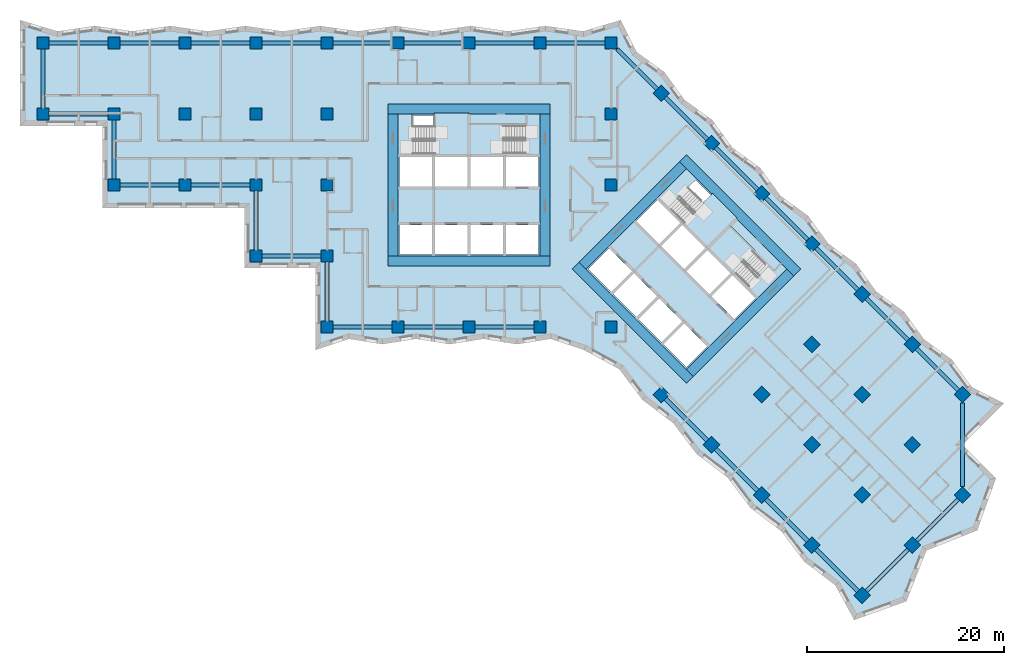
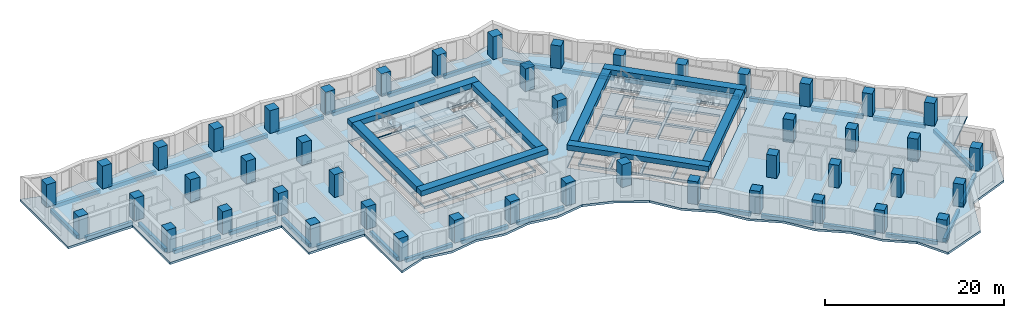
# One storey, part 1 of 12: 47 columns, 41 beams, 7 slabs, 22 openings, 4 elements without a shape of their own.
"""IFC4 building model written with IfcOpenShell, lengths in metres."""

import ifcopenshell
import ifcopenshell.guid

model = None  # the IFC model being written
_history = None  # IfcOwnerHistory: only IFC2X3 demands one
_inside = {}  # id of a spatial element -> (the spatial element, [elements in it])
_under = {}  # id of a project, library or spatial element -> (it, [spatial elements below it])
_declared = {}  # id of a project -> (the project, [libraries it declares])
_typed = {}  # id of a type object -> (the type object, [elements of that type])
_made_of = {}  # id of a material, layer set ... -> (it, [elements and type objects made of it])


def new_model(schema):
    """Start an empty IFC model of exactly this schema.

    Asked for "IFC4X3", IfcOpenShell would pick the latest addendum, in which some entities
    have other attributes; the version numbers below select the first issue.
    IFC2X3 requires an IfcOwnerHistory on every rooted entity: one is made here for all.
    """
    global model, _history
    if schema == "IFC4X3":
        model = ifcopenshell.file(schema_version=(4, 3, 0, 0))
    else:
        model = ifcopenshell.file(schema=schema)
    _inside.clear()
    _under.clear()
    _declared.clear()
    _typed.clear()
    _made_of.clear()
    _history = None
    if model.schema == "IFC2X3":
        org = make("IfcOrganization", Name="unknown")
        user = make(
            "IfcPersonAndOrganization",
            ThePerson=make("IfcPerson", FamilyName="unknown"),
            TheOrganization=org,
        )
        app = make(
            "IfcApplication",
            ApplicationDeveloper=org,
            Version="unknown",
            ApplicationFullName="unknown",
            ApplicationIdentifier="unknown",
        )
        _history = make(
            "IfcOwnerHistory",
            OwningUser=user,
            OwningApplication=app,
            ChangeAction="ADDED",
            CreationDate=0,
        )
    return model


def make(cls, **values):
    """One entity of the class cls with the attributes given. An attribute that is None is left unset."""
    return model.create_entity(
        cls, **{name: value for name, value in values.items() if value is not None}
    )


def rooted(cls, **values):
    """An entity with a GlobalId (a new one), such as an element, a storey or a relation."""
    return make(cls, GlobalId=ifcopenshell.guid.new(), OwnerHistory=_history, **values)


def si_unit(unit_type, name, prefix=None):
    """IfcSIUnit, for example si_unit("LENGTHUNIT", "METRE", prefix="MILLI")."""
    return make("IfcSIUnit", UnitType=unit_type, Prefix=prefix, Name=name)


def assignment(units):
    """IfcUnitAssignment: the units of a project."""
    return None if units is None else make("IfcUnitAssignment", Units=units)


def point(xyz):
    """IfcCartesianPoint."""
    return None if xyz is None else make("IfcCartesianPoint", Coordinates=xyz)


def direction(xyz):
    """IfcDirection."""
    return None if xyz is None else make("IfcDirection", DirectionRatios=xyz)


def frame(location, z_axis=None, x_axis=None):
    """IfcAxis2Placement3D, a coordinate frame: its origin and axes. An axis left out is left unset."""
    return make(
        "IfcAxis2Placement3D",
        Location=point(location),
        Axis=direction(z_axis),
        RefDirection=direction(x_axis),
    )


def frame_2d(location, x_axis=None):
    """IfcAxis2Placement2D, a coordinate frame in the plane: its origin and x axis."""
    return make(
        "IfcAxis2Placement2D", Location=point(location), RefDirection=direction(x_axis)
    )


def origin():
    """The frame at (0, 0, 0) with its axes left unset."""
    return frame((0.0, 0.0, 0.0))


def origin_2d():
    """The frame at (0, 0) in the plane with its x axis left unset."""
    return frame_2d((0.0, 0.0))


def place(relative_to, where):
    """IfcLocalPlacement: puts the frame where relative to a parent placement (None: the world)."""
    return make(
        "IfcLocalPlacement", PlacementRelTo=relative_to, RelativePlacement=where
    )


def context(
    kind, dimensions, precision=None, world=None, true_north=None, identifier=None
):
    """IfcGeometricRepresentationContext, for example the 3D "Model" context."""
    return make(
        "IfcGeometricRepresentationContext",
        ContextIdentifier=identifier,
        ContextType=kind,
        CoordinateSpaceDimension=dimensions,
        Precision=precision,
        WorldCoordinateSystem=world,
        TrueNorth=true_north,
    )


def subcontext(parent, identifier, kind, view, scale=None):
    """IfcGeometricRepresentationSubContext, for example "Body" below "Model"."""
    return make(
        "IfcGeometricRepresentationSubContext",
        ContextIdentifier=identifier,
        ContextType=kind,
        ParentContext=parent,
        TargetScale=scale,
        TargetView=view,
    )


def project(units=None, contexts=None):
    """IfcProject with its units and contexts."""
    return rooted(
        "IfcProject",
        Name="project",
        RepresentationContexts=contexts,
        UnitsInContext=assignment(units),
    )


def spatial(cls, under=None, at=None, **own):
    """A site, building, storey or space (cls), placed at a placement, below another one or the project."""
    s = rooted(cls, ObjectPlacement=at, **own)
    if under is not None:
        _under.setdefault(under.id(), (under, []))[1].append(s)
    return s


def polyline(points):
    """IfcPolyline through the points."""
    return make("IfcPolyline", Points=[point(p) for p in points])


def profile(cls, at=None, kind="AREA", **sizes):
    """A parametric profile (cls). Its sizes go by their IFC names, for example OverallWidth=200.0."""
    return make(cls, ProfileType=kind, Position=at, **sizes)


def rectangle(**sizes):
    """IfcRectangleProfileDef."""
    return profile("IfcRectangleProfileDef", **sizes)


def outline(outer, holes=None, kind="AREA"):
    """IfcArbitraryClosedProfileDef: a profile drawn as a closed curve; with holes, ...WithVoids."""
    if holes is None:
        return make("IfcArbitraryClosedProfileDef", ProfileType=kind, OuterCurve=outer)
    return make(
        "IfcArbitraryProfileDefWithVoids",
        ProfileType=kind,
        OuterCurve=outer,
        InnerCurves=holes,
    )


def extrude(swept, where, along, depth):
    """IfcExtrudedAreaSolid: the profile swept, set in the frame where, extruded along a direction by depth."""
    return make(
        "IfcExtrudedAreaSolid",
        SweptArea=swept,
        Position=where,
        ExtrudedDirection=direction(along),
        Depth=depth,
    )


def shape(context_of_items, identifier, shape_type, items):
    """IfcShapeRepresentation: the items that make up one representation, for example the "Body"."""
    return make(
        "IfcShapeRepresentation",
        ContextOfItems=context_of_items,
        RepresentationIdentifier=identifier,
        RepresentationType=shape_type,
        Items=items,
    )


def material(Name=None, Category=None):
    """IfcMaterial."""
    return make("IfcMaterial", Name=Name, Category=Category)


def layer(
    of_material, thickness, ventilated=None, Name=None, Category=None, Priority=None
):
    """IfcMaterialLayer: one layer of a wall or slab, of a material (None: an air gap)."""
    return make(
        "IfcMaterialLayer",
        Material=of_material,
        LayerThickness=thickness,
        IsVentilated=ventilated,
        Name=Name,
        Category=Category,
        Priority=Priority,
    )


def layer_set(layers, Name=None):
    """IfcMaterialLayerSet."""
    return make("IfcMaterialLayerSet", MaterialLayers=layers, LayerSetName=Name)


def material_profile(
    of_material, cross_section, Name=None, Category=None, Priority=None
):
    """IfcMaterialProfile: a cross section and its material."""
    return make(
        "IfcMaterialProfile",
        Name=Name,
        Material=of_material,
        Profile=cross_section,
        Priority=Priority,
        Category=Category,
    )


def profile_set(profiles, Name=None, composite=None):
    """IfcMaterialProfileSet."""
    return make(
        "IfcMaterialProfileSet",
        Name=Name,
        MaterialProfiles=profiles,
        CompositeProfile=composite,
    )


def made_of(thing, what):
    """Note that an element or type object is made of a material, layer set ...; save() writes the relation."""
    if what is not None:
        _made_of.setdefault(what.id(), (what, []))[1].append(thing)
    return thing


def type_object(cls, material=None, **own):
    """A type object (cls), such as IfcWallType, which elements share."""
    return made_of(rooted(cls, **own), material)


def element(
    cls,
    number,
    at=None,
    inside=None,
    cuts=None,
    type_object=None,
    material=None,
    context=None,
    identifier="Body",
    shape_type=None,
    held_by="IfcProductDefinitionShape",
    body=None,
    shapes=None,
    **own,
):
    """One element of the class cls, such as IfcWall. Its Tag is "e" and its number.

    at: its placement. inside: the storey or other place that contains it. cuts: it is an
    opening in that element (IfcRelVoidsElement). A single representation is given by context,
    identifier, shape_type and body (its items); several are given by shapes. held_by: the class
    of the entity that holds the representations. save() writes the other relations.
    """
    e = rooted(cls, Tag="e%d" % number, ObjectPlacement=at, **own)
    if body is not None:
        shapes = [shape(context, identifier, shape_type, body)]
    if shapes is not None:
        e.Representation = make(held_by, Representations=shapes)
    if inside is not None:
        _inside.setdefault(inside.id(), (inside, []))[1].append(e)
    if cuts is not None:
        rooted(
            "IfcRelVoidsElement", RelatingBuildingElement=cuts, RelatedOpeningElement=e
        )
    if type_object is not None:
        _typed.setdefault(type_object.id(), (type_object, []))[1].append(e)
    return made_of(e, material)


def aggregate(whole, parts):
    """IfcRelAggregates: a whole, such as a stair, and the parts it consists of."""
    return rooted("IfcRelAggregates", RelatingObject=whole, RelatedObjects=parts)


def save(model, path):
    """Write the relations noted so far, then the file.

    IfcRelAggregates (storeys below a building ...), IfcRelContainedInSpatialStructure (elements
    in a storey), IfcRelDefinesByType, IfcRelAssociatesMaterial and IfcRelDeclares: one each for
    every whole, place, type object, material and project.
    """
    for whole, parts in _under.values():
        aggregate(whole, parts)
    for where, things in _inside.values():
        rooted(
            "IfcRelContainedInSpatialStructure",
            RelatedElements=things,
            RelatingStructure=where,
        )
    for kind, things in _typed.values():
        rooted("IfcRelDefinesByType", RelatedObjects=things, RelatingType=kind)
    for what, things in _made_of.values():
        rooted("IfcRelAssociatesMaterial", RelatedObjects=things, RelatingMaterial=what)
    for by, libraries in _declared.values():
        rooted("IfcRelDeclares", RelatingContext=by, RelatedDefinitions=libraries)
    model.write(path)


model = new_model("IFC4")

# Units and contexts
model_context = context("Model", 3, precision=1e-05, world=origin(), true_north=direction((0.0, 1.0)))
body_context = subcontext(model_context, "Body", "Model", "MODEL_VIEW")
ifc_project = project(units=[si_unit("LENGTHUNIT", "METRE"), si_unit("AREAUNIT", "SQUARE_METRE"), si_unit("VOLUMEUNIT", "CUBIC_METRE"), si_unit("PLANEANGLEUNIT", "RADIAN"), si_unit("MASSUNIT", "GRAM", prefix="KILO")], contexts=[model_context])

# Site, building, storey
site_placement = place(None, origin())
site = spatial("IfcSite", under=ifc_project, at=site_placement, CompositionType="ELEMENT")
building_placement = place(site_placement, origin())
building = spatial("IfcBuilding", under=site, at=building_placement, Name="Windrow Commons", CompositionType="ELEMENT")
storey_placement = place(building_placement, frame((0.0, 0.0, 54.2)))
storey = spatial("IfcBuildingStorey", under=building, at=storey_placement, Name="L14", CompositionType="ELEMENT", Elevation=54.2)

# Columns
ifc_material_1 = material(Name="Concrete C60/75", Category="concrete")
ifc_material_profile_1 = material_profile(ifc_material_1, rectangle(XDim=1.2, YDim=1.2, at=origin_2d()))
ifc_profile_set_1 = profile_set([ifc_material_profile_1], Name="Concrete C60/75")
column_type = type_object("IfcColumnType", Name="RC COLUMN 1200x1200 C60/75", PredefinedType="COLUMN", material=ifc_profile_set_1)
for number, where, z_axis, x_axis, name in (
    (1, (21.6, 64.8, 0.0), (0.0, 0.0, 1.0), (1.0, 0.0, 0.0), "C-Z1-04I"),
    (2, (21.6, 72.0, 0.0), (0.0, 0.0, 1.0), (1.0, 0.0, 0.0), "C-Z1-04J"),
    (3, (28.8, 57.6, 0.0), (0.0, 0.0, 1.0), (1.0, 0.0, 0.0), "C-Z1-05H"),
    (4, (28.8, 64.8, 0.0), (0.0, 0.0, 1.0), (1.0, 0.0, 0.0), "C-Z1-05I"),
    (5, (28.8, 72.0, 0.0), (0.0, 0.0, 1.0), (1.0, 0.0, 0.0), "C-Z1-05J"),
    (6, (36.0, 57.6, 0.0), (0.0, 0.0, 1.0), (1.0, 0.0, 0.0), "C-Z1-06H"),
    (7, (36.0, 64.8, 0.0), (0.0, 0.0, 1.0), (1.0, 0.0, 0.0), "C-Z1-06I"),
    (8, (36.0, 72.0, 0.0), (0.0, 0.0, 1.0), (1.0, 0.0, 0.0), "C-Z1-06J"),
    (9, (43.2, 50.4, 0.0), (0.0, 0.0, 1.0), (1.0, 0.0, 0.0), "C-Z1-07G"),
    (10, (43.2, 57.6, 0.0), (0.0, 0.0, 1.0), (1.0, 0.0, 0.0), "C-Z1-07H"),
    (11, (43.2, 64.8, 0.0), (0.0, 0.0, 1.0), (1.0, 0.0, 0.0), "C-Z1-07I"),
    (12, (43.2, 72.0, 0.0), (0.0, 0.0, 1.0), (1.0, 0.0, 0.0), "C-Z1-07J"),
    (13, (50.4, 43.2, 0.0), (0.0, 0.0, 1.0), (1.0, 0.0, 0.0), "C-Z1-08F"),
    (14, (50.4, 50.4, 0.0), (0.0, 0.0, 1.0), (1.0, 0.0, 0.0), "C-Z1-08G"),
    (15, (50.4, 57.6, 0.0), (0.0, 0.0, 1.0), (1.0, 0.0, 0.0), "C-Z1-08H"),
    (16, (50.4, 64.8, 0.0), (0.0, 0.0, 1.0), (1.0, 0.0, 0.0), "C-Z1-08I"),
    (17, (50.4, 72.0, 0.0), (0.0, 0.0, 1.0), (1.0, 0.0, 0.0), "C-Z1-08J"),
    (18, (57.6, 43.2, 0.0), (0.0, 0.0, 1.0), (1.0, 0.0, 0.0), "C-Z1-09F"),
    (19, (57.6, 72.0, 0.0), (0.0, 0.0, 1.0), (1.0, 0.0, 0.0), "C-Z1-09J"),
    (20, (64.8, 43.2, 0.0), (0.0, 0.0, 1.0), (1.0, 0.0, 0.0), "C-Z1-10F"),
    (21, (64.8, 72.0, 0.0), (0.0, 0.0, 1.0), (1.0, 0.0, 0.0), "C-Z1-10J"),
    (22, (72.0, 43.2, 0.0), (0.0, 0.0, 1.0), (1.0, 0.0, 0.0), "C-Z1-11F"),
    (23, (72.0, 72.0, 0.0), (0.0, 0.0, 1.0), (1.0, 0.0, 0.0), "C-Z1-11J"),
    (24, (79.2, 43.2, 0.0), (0.0, 0.0, 1.0), (1.0, 0.0, 0.0), "C-Z1-12F"),
    (25, (79.2, 57.6, 0.0), (0.0, 0.0, 1.0), (1.0, 0.0, 0.0), "C-Z1-12H"),
    (26, (79.2, 64.8, 0.0), (0.0, 0.0, 1.0), (1.0, 0.0, 0.0), "C-Z1-12I"),
    (27, (79.2, 72.0, 0.0), (0.0, 0.0, 1.0), (1.0, 0.0, 0.0), "C-Z1-12J"),
    (28, (84.2912, 66.9088, 0.0), (0.0, 0.0, 1.0), (0.7071067812, -0.7071067812, 0.0), "C-Z1-P2Q"),
    (29, (89.3823, 61.8177, 0.0), (0.0, 0.0, 1.0), (0.7071067812, -0.7071067812, 0.0), "C-Z1-P3Q"),
    (30, (94.4735, 56.7265, 0.0), (0.0, 0.0, 1.0), (0.7071067812, -0.7071067812, 0.0), "C-Z1-P4Q"),
    (31, (99.5647, 51.6353, 0.0), (0.0, 0.0, 1.0), (0.7071067812, -0.7071067812, 0.0), "C-Z1-P5Q"),
    (32, (84.2912, 36.3618, 0.0), (0.0, 0.0, 1.0), (0.7071067812, -0.7071067812, 0.0), "C-Z1-P5T"),
    (33, (104.6558, 46.5442, 0.0), (0.0, 0.0, 1.0), (0.7071067812, -0.7071067812, 0.0), "C-Z1-P6Q"),
    (34, (99.5647, 41.453, 0.0), (0.0, 0.0, 1.0), (0.7071067812, -0.7071067812, 0.0), "C-Z1-P6R"),
    (35, (94.4735, 36.3618, 0.0), (0.0, 0.0, 1.0), (0.7071067812, -0.7071067812, 0.0), "C-Z1-P6S"),
    (36, (89.3823, 31.2706, 0.0), (0.0, 0.0, 1.0), (0.7071067812, -0.7071067812, 0.0), "C-Z1-P6T"),
    (37, (109.747, 41.453, 0.0), (0.0, 0.0, 1.0), (0.7071067812, -0.7071067812, 0.0), "C-Z1-P7Q"),
    (38, (104.6558, 36.3618, 0.0), (0.0, 0.0, 1.0), (0.7071067812, -0.7071067812, 0.0), "C-Z1-P7R"),
    (39, (99.5647, 31.2706, 0.0), (0.0, 0.0, 1.0), (0.7071067812, -0.7071067812, 0.0), "C-Z1-P7S"),
    (40, (94.4735, 26.1795, 0.0), (0.0, 0.0, 1.0), (0.7071067812, -0.7071067812, 0.0), "C-Z1-P7T"),
    (41, (114.8382, 36.3618, 0.0), (0.0, 0.0, 1.0), (0.7071067812, -0.7071067812, 0.0), "C-Z1-P8Q"),
    (42, (109.747, 31.2706, 0.0), (0.0, 0.0, 1.0), (0.7071067812, -0.7071067812, 0.0), "C-Z1-P8R"),
    (43, (104.6558, 26.1795, 0.0), (0.0, 0.0, 1.0), (0.7071067812, -0.7071067812, 0.0), "C-Z1-P8S"),
    (44, (99.5647, 21.0883, 0.0), (0.0, 0.0, 1.0), (0.7071067812, -0.7071067812, 0.0), "C-Z1-P8T"),
    (45, (114.8382, 26.1795, 0.0), (0.0, 0.0, 1.0), (0.7071067812, -0.7071067812, 0.0), "C-Z1-P9R"),
    (46, (109.747, 21.0883, 0.0), (0.0, 0.0, 1.0), (0.7071067812, -0.7071067812, 0.0), "C-Z1-P9S"),
    (47, (104.6558, 15.9971, 0.0), (0.0, 0.0, 1.0), (0.7071067812, -0.7071067812, 0.0), "C-Z1-P9T"),
):
    element("IfcColumn", number, at=place(storey_placement, frame(where, z_axis=z_axis, x_axis=x_axis)), inside=storey, type_object=column_type, Name=name, PredefinedType="COLUMN", context=body_context, shape_type="SweptSolid", body=[
        extrude(rectangle(XDim=1.2, YDim=1.2, at=origin_2d()), origin(), (0.0, 0.0, 1.0), 3.1),
    ])

# Beams
ifc_material_2 = material(Name="Concrete C60/75", Category="concrete")
ifc_material_profile_2 = material_profile(ifc_material_2, rectangle(XDim=1.0, YDim=0.7, at=origin_2d()))
ifc_profile_set_2 = profile_set([ifc_material_profile_2], Name="Concrete C60/75")
beam_type_1 = type_object("IfcBeamType", Name="RC COUPLING BEAM 1000x700 C60/75", PredefinedType="LINTEL", material=ifc_profile_set_2)
for number, where, z_axis, x_axis, name in (
    (48, (56.6, 49.9, 2.75), (1.0, 0.0, 0.0), (0.0, 1.0, 0.0), "Core A coupling beam outer-S"),
    (49, (56.6, 65.3, 2.75), (1.0, 0.0, 0.0), (0.0, 1.0, 0.0), "Core A coupling beam outer-N"),
):
    element("IfcBeam", number, at=place(storey_placement, frame(where, z_axis=z_axis, x_axis=x_axis)), inside=storey, type_object=beam_type_1, Name=name, PredefinedType="LINTEL", context=body_context, shape_type="SweptSolid", body=[
        extrude(rectangle(XDim=1.0, YDim=0.7, at=origin_2d()), origin(), (0.0, 0.0, 1.0), 16.4),
    ])
for number, where, z_axis, x_axis, name in (
    (50, (57.1, 50.4, 2.75), (0.0, 1.0, 0.0), (-1.0, 0.0, 0.0), "Core A coupling beam outer-W"),
    (51, (72.5, 50.4, 2.75), (0.0, 1.0, 0.0), (-1.0, 0.0, 0.0), "Core A coupling beam outer-E"),
):
    element("IfcBeam", number, at=place(storey_placement, frame(where, z_axis=z_axis, x_axis=x_axis)), inside=storey, type_object=beam_type_1, Name=name, PredefinedType="LINTEL", context=body_context, shape_type="SweptSolid", body=[
        extrude(rectangle(XDim=1.0, YDim=0.7, at=origin_2d()), origin(), (0.0, 0.0, 1.0), 14.4),
    ])
for number, where, z_axis, x_axis, name in (
    (52, (75.5938, 49.4433, 2.75), (0.7071037324, -0.70710983, 0.0), (0.70710983, 0.7071037324, 0.0), "Core B coupling beam outer-S"),
    (53, (86.4832, 60.3327, 2.75), (0.70710983, -0.7071037324, 0.0), (0.7071037324, 0.70710983, 0.0), "Core B coupling beam outer-N"),
):
    element("IfcBeam", number, at=place(storey_placement, frame(where, z_axis=z_axis, x_axis=x_axis)), inside=storey, type_object=beam_type_1, Name=name, PredefinedType="LINTEL", context=body_context, shape_type="SweptSolid", body=[
        extrude(rectangle(XDim=1.0, YDim=0.7, at=origin_2d()), origin(), (0.0, 0.0, 1.0), 16.4),
    ])
beam_1_placement = place(storey_placement, frame((76.3009, 49.4433, 2.75), z_axis=(0.7071067812, 0.7071067812, 0.0), x_axis=(-0.7071067812, 0.7071067812, 0.0)))
element("IfcBeam", 54, at=beam_1_placement, inside=storey, type_object=beam_type_1, Name="Core B coupling beam outer-W", PredefinedType="LINTEL", context=body_context, shape_type="SweptSolid", body=[
    extrude(rectangle(XDim=1.0, YDim=0.7, at=origin_2d()), origin(), (0.0, 0.0, 1.0), 14.3999),
])
beam_2_placement = place(storey_placement, frame((87.1903, 38.5538, 2.75), z_axis=(0.707103309, 0.7071102534, 0.0), x_axis=(-0.7071102534, 0.707103309, 0.0)))
element("IfcBeam", 55, at=beam_2_placement, inside=storey, type_object=beam_type_1, Name="Core B coupling beam outer-E", PredefinedType="LINTEL", context=body_context, shape_type="SweptSolid", body=[
    extrude(rectangle(XDim=1.0, YDim=0.7, at=origin_2d()), origin(), (0.0, 0.0, 1.0), 14.4),
])
ifc_material_3 = material(Name="Concrete C60/75", Category="concrete")
ifc_material_profile_3 = material_profile(ifc_material_3, rectangle(XDim=0.4, YDim=0.5, at=origin_2d()))
ifc_profile_set_3 = profile_set([ifc_material_profile_3], Name="Concrete C60/75")
beam_type_2 = type_object("IfcBeamType", Name="RC EDGE BEAM 400x500 C60/75", PredefinedType="SPANDREL", material=ifc_profile_set_3)
for number, where, z_axis, x_axis, name in (
    (56, (49.8, 50.4, -0.55), (-1.0, 0.0, 0.0), (0.0, -1.0, 0.0), "Edge beam L14 001"),
    (57, (43.2, 51.0, -0.55), (0.0, 1.0, 0.0), (-1.0, 0.0, 0.0), "Edge beam L14 002"),
    (58, (42.6, 57.6, -0.55), (-1.0, 0.0, 0.0), (0.0, -1.0, 0.0), "Edge beam L14 003"),
    (59, (35.4, 57.6, -0.55), (-1.0, 0.0, 0.0), (0.0, -1.0, 0.0), "Edge beam L14 004"),
    (60, (28.8, 58.2, -0.55), (0.0, 1.0, 0.0), (-1.0, 0.0, 0.0), "Edge beam L14 005"),
    (61, (28.2, 64.8, -0.55), (-1.0, 0.0, 0.0), (0.0, -1.0, 0.0), "Edge beam L14 006"),
    (62, (21.6, 65.4, -0.55), (0.0, 1.0, 0.0), (-1.0, 0.0, 0.0), "Edge beam L14 007"),
    (63, (22.2, 72.0, -0.55), (1.0, 0.0, 0.0), (0.0, 1.0, 0.0), "Edge beam L14 008"),
    (64, (29.4, 72.0, -0.55), (1.0, 0.0, 0.0), (0.0, 1.0, 0.0), "Edge beam L14 009"),
    (65, (36.6, 72.0, -0.55), (1.0, 0.0, 0.0), (0.0, 1.0, 0.0), "Edge beam L14 010"),
    (66, (43.8, 72.0, -0.55), (1.0, 0.0, 0.0), (0.0, 1.0, 0.0), "Edge beam L14 011"),
    (67, (51.0, 72.0, -0.55), (1.0, 0.0, 0.0), (0.0, 1.0, 0.0), "Edge beam L14 012"),
    (68, (58.2, 72.0, -0.55), (1.0, 0.0, 0.0), (0.0, 1.0, 0.0), "Edge beam L14 013"),
    (69, (65.4, 72.0, -0.55), (1.0, 0.0, 0.0), (0.0, 1.0, 0.0), "Edge beam L14 014"),
    (70, (72.6, 72.0, -0.55), (1.0, 0.0, 0.0), (0.0, 1.0, 0.0), "Edge beam L14 015"),
):
    element("IfcBeam", number, at=place(storey_placement, frame(where, z_axis=z_axis, x_axis=x_axis)), inside=storey, type_object=beam_type_2, Name=name, PredefinedType="SPANDREL", context=body_context, shape_type="SweptSolid", body=[
        extrude(rectangle(XDim=0.4, YDim=0.5, at=origin_2d()), origin(), (0.0, 0.0, 1.0), 6.0),
    ])
beam_3_placement = place(storey_placement, frame((79.8, 71.4, -0.55), z_axis=(0.7071067812, -0.7071067812, 0.0), x_axis=(0.7071067812, 0.7071067812, 0.0)))
element("IfcBeam", 71, at=beam_3_placement, inside=storey, type_object=beam_type_2, Name="Edge beam L14 016", PredefinedType="SPANDREL", context=body_context, shape_type="SweptSolid", body=[
    extrude(rectangle(XDim=0.4, YDim=0.5, at=origin_2d()), origin(), (0.0, 0.0, 1.0), 5.7515),
])
beam_4_placement = place(storey_placement, frame((84.7155, 66.4845, -0.55), z_axis=(0.7071067812, -0.7071067812, 0.0), x_axis=(0.7071067812, 0.7071067812, 0.0)))
element("IfcBeam", 72, at=beam_4_placement, inside=storey, type_object=beam_type_2, Name="Edge beam L14 017", PredefinedType="SPANDREL", context=body_context, shape_type="SweptSolid", body=[
    extrude(rectangle(XDim=0.4, YDim=0.5, at=origin_2d()), origin(), (0.0, 0.0, 1.0), 5.9998),
])
for number, where, z_axis, x_axis, name in (
    (73, (89.8066, 61.3934, -0.55), (0.7071067812, -0.7071067812, 0.0), (0.7071067812, 0.7071067812, 0.0), "Edge beam L14 018"),
    (74, (94.8978, 56.3022, -0.55), (0.7071067812, -0.7071067812, 0.0), (0.7071067812, 0.7071067812, 0.0), "Edge beam L14 019"),
):
    element("IfcBeam", number, at=place(storey_placement, frame(where, z_axis=z_axis, x_axis=x_axis)), inside=storey, type_object=beam_type_2, Name=name, PredefinedType="SPANDREL", context=body_context, shape_type="SweptSolid", body=[
        extrude(rectangle(XDim=0.4, YDim=0.5, at=origin_2d()), origin(), (0.0, 0.0, 1.0), 5.9999),
    ])
beam_5_placement = place(storey_placement, frame((99.989, 51.211, -0.55), z_axis=(0.7071067812, -0.7071067812, 0.0), x_axis=(0.7071067812, 0.7071067812, 0.0)))
element("IfcBeam", 75, at=beam_5_placement, inside=storey, type_object=beam_type_2, Name="Edge beam L14 020", PredefinedType="SPANDREL", context=body_context, shape_type="SweptSolid", body=[
    extrude(rectangle(XDim=0.4, YDim=0.5, at=origin_2d()), origin(), (0.0, 0.0, 1.0), 5.9998),
])
for number, where, z_axis, x_axis, name in (
    (76, (105.0801, 46.1199, -0.55), (0.7071067812, -0.7071067812, 0.0), (0.7071067812, 0.7071067812, 0.0), "Edge beam L14 021"),
    (77, (110.1713, 41.0287, -0.55), (0.7071067812, -0.7071067812, 0.0), (0.7071067812, 0.7071067812, 0.0), "Edge beam L14 022"),
):
    element("IfcBeam", number, at=place(storey_placement, frame(where, z_axis=z_axis, x_axis=x_axis)), inside=storey, type_object=beam_type_2, Name=name, PredefinedType="SPANDREL", context=body_context, shape_type="SweptSolid", body=[
        extrude(rectangle(XDim=0.4, YDim=0.5, at=origin_2d()), origin(), (0.0, 0.0, 1.0), 5.9999),
    ])
beam_6_placement = place(storey_placement, frame((114.8382, 35.5133, -0.55), z_axis=(0.0, -1.0, 0.0), x_axis=(1.0, 0.0, 0.0)))
element("IfcBeam", 78, at=beam_6_placement, inside=storey, type_object=beam_type_2, Name="Edge beam L14 023", PredefinedType="SPANDREL", context=body_context, shape_type="SweptSolid", body=[
    extrude(rectangle(XDim=0.4, YDim=0.5, at=origin_2d()), origin(), (0.0, 0.0, 1.0), 8.4853),
])
for number, where, z_axis, x_axis, name in (
    (79, (114.4139, 25.7552, -0.55), (-0.7071067812, -0.7071067812, 0.0), (0.7071067812, -0.7071067812, 0.0), "Edge beam L14 024"),
    (80, (109.3227, 20.664, -0.55), (-0.7071067812, -0.7071067812, 0.0), (0.7071067812, -0.7071067812, 0.0), "Edge beam L14 025"),
    (81, (104.2315, 16.4214, -0.55), (-0.7070984476, 0.7071151146, 0.0), (-0.7071151146, -0.7070984476, 0.0), "Edge beam L14 026"),
    (82, (99.1404, 21.5126, -0.55), (-0.7071067812, 0.7071067812, 0.0), (-0.7071067812, -0.7071067812, 0.0), "Edge beam L14 027"),
    (83, (94.0492, 26.6038, -0.55), (-0.7071151146, 0.7070984476, 0.0), (-0.7070984476, -0.7071151146, 0.0), "Edge beam L14 028"),
    (84, (88.958, 31.6949, -0.55), (-0.7070984476, 0.7071151146, 0.0), (-0.7071151146, -0.7070984476, 0.0), "Edge beam L14 029"),
):
    element("IfcBeam", number, at=place(storey_placement, frame(where, z_axis=z_axis, x_axis=x_axis)), inside=storey, type_object=beam_type_2, Name=name, PredefinedType="SPANDREL", context=body_context, shape_type="SweptSolid", body=[
        extrude(rectangle(XDim=0.4, YDim=0.5, at=origin_2d()), origin(), (0.0, 0.0, 1.0), 5.9999),
    ])
for number, where, z_axis, x_axis, name in (
    (85, (71.4, 43.2, -0.55), (-1.0, 0.0, 0.0), (0.0, -1.0, 0.0), "Edge beam L14 030"),
    (86, (64.2, 43.2, -0.55), (-1.0, 0.0, 0.0), (0.0, -1.0, 0.0), "Edge beam L14 031"),
    (87, (57.0, 43.2, -0.55), (-1.0, 0.0, 0.0), (0.0, -1.0, 0.0), "Edge beam L14 032"),
    (88, (50.4, 43.8, -0.55), (0.0, 1.0, 0.0), (-1.0, 0.0, 0.0), "Edge beam L14 033"),
):
    element("IfcBeam", number, at=place(storey_placement, frame(where, z_axis=z_axis, x_axis=x_axis)), inside=storey, type_object=beam_type_2, Name=name, PredefinedType="SPANDREL", context=body_context, shape_type="SweptSolid", body=[
        extrude(rectangle(XDim=0.4, YDim=0.5, at=origin_2d()), origin(), (0.0, 0.0, 1.0), 6.0),
    ])

# Slab, openings
ifc_material_4 = material(Name="Concrete C60/75", Category="concrete")
ifc_layer_1 = layer(ifc_material_4, 0.3)
ifc_layer_set_1 = layer_set([ifc_layer_1], Name="CORE FLOOR SLAB 300 C60/75")
slab_type_1 = type_object("IfcSlabType", Name="CORE FLOOR SLAB 300 C60/75", PredefinedType="FLOOR", material=ifc_layer_set_1)
placement_1 = place(storey_placement, frame((0.0, 0.0, -0.3)))
slab_1 = element("IfcSlab", 89, at=placement_1, inside=storey, type_object=slab_type_1, Name="S-L14-core-A", PredefinedType="FLOOR", context=body_context, shape_type="SweptSolid", body=[
    extrude(outline(polyline([(57.6, 50.4), (72.0, 50.4), (72.0, 64.8), (57.6, 64.8), (57.6, 50.4)]), holes=[polyline([(57.75, 50.55), (61.05, 50.55), (61.05, 53.55), (57.75, 53.55), (57.75, 50.55)]), polyline([(61.35, 50.55), (64.65, 50.55), (64.65, 53.55), (61.35, 53.55), (61.35, 50.55)]), polyline([(64.95, 50.55), (68.25, 50.55), (68.25, 53.55), (64.95, 53.55), (64.95, 50.55)]), polyline([(68.55, 50.55), (71.85, 50.55), (71.85, 53.55), (68.55, 53.55), (68.55, 50.55)]), polyline([(57.75, 57.45), (61.05, 57.45), (61.05, 60.45), (57.75, 60.45), (57.75, 57.45)]), polyline([(61.35, 57.45), (64.65, 57.45), (64.65, 60.45), (61.35, 60.45), (61.35, 57.45)]), polyline([(64.95, 57.45), (68.25, 57.45), (68.25, 60.45), (64.95, 60.45), (64.95, 57.45)]), polyline([(68.55, 57.45), (71.85, 57.45), (71.85, 60.45), (68.55, 60.45), (68.55, 57.45)]), polyline([(59.1, 60.75), (64.65, 60.75), (64.65, 64.65), (59.1, 64.65), (59.1, 60.75)]), polyline([(64.95, 60.75), (70.5, 60.75), (70.5, 63.705), (64.95, 63.705), (64.95, 60.75)])]), origin(), (0.0, 0.0, 1.0), 0.3),
])
opening_1_placement = place(placement_1, origin())
element("IfcOpeningElement", 90, at=opening_1_placement, cuts=slab_1, Name="Slab opening S-L14-core-A 1", PredefinedType="OPENING", context=body_context, shape_type="SweptSolid", body=[
    extrude(outline(polyline([(57.755, 50.555), (57.755, 53.545), (61.045, 53.545), (61.045, 50.555), (57.755, 50.555)])), origin(), (0.0, 0.0, 1.0), 0.3),
])
opening_2_placement = place(placement_1, origin())
element("IfcOpeningElement", 91, at=opening_2_placement, cuts=slab_1, Name="Slab opening S-L14-core-A 2", PredefinedType="OPENING", context=body_context, shape_type="SweptSolid", body=[
    extrude(outline(polyline([(61.355, 50.555), (61.355, 53.545), (64.645, 53.545), (64.645, 50.555), (61.355, 50.555)])), origin(), (0.0, 0.0, 1.0), 0.3),
])
opening_3_placement = place(placement_1, origin())
element("IfcOpeningElement", 92, at=opening_3_placement, cuts=slab_1, Name="Slab opening S-L14-core-A 3", PredefinedType="OPENING", context=body_context, shape_type="SweptSolid", body=[
    extrude(outline(polyline([(64.955, 50.555), (64.955, 53.545), (68.245, 53.545), (68.245, 50.555), (64.955, 50.555)])), origin(), (0.0, 0.0, 1.0), 0.3),
])
opening_4_placement = place(placement_1, origin())
element("IfcOpeningElement", 93, at=opening_4_placement, cuts=slab_1, Name="Slab opening S-L14-core-A 4", PredefinedType="OPENING", context=body_context, shape_type="SweptSolid", body=[
    extrude(outline(polyline([(68.555, 50.555), (68.555, 53.545), (71.845, 53.545), (71.845, 50.555), (68.555, 50.555)])), origin(), (0.0, 0.0, 1.0), 0.3),
])
opening_5_placement = place(placement_1, origin())
element("IfcOpeningElement", 94, at=opening_5_placement, cuts=slab_1, Name="Slab opening S-L14-core-A 5", PredefinedType="OPENING", context=body_context, shape_type="SweptSolid", body=[
    extrude(outline(polyline([(57.755, 57.455), (57.755, 60.445), (61.045, 60.445), (61.045, 57.455), (57.755, 57.455)])), origin(), (0.0, 0.0, 1.0), 0.3),
])
opening_6_placement = place(placement_1, origin())
element("IfcOpeningElement", 95, at=opening_6_placement, cuts=slab_1, Name="Slab opening S-L14-core-A 6", PredefinedType="OPENING", context=body_context, shape_type="SweptSolid", body=[
    extrude(outline(polyline([(61.355, 57.455), (61.355, 60.445), (64.645, 60.445), (64.645, 57.455), (61.355, 57.455)])), origin(), (0.0, 0.0, 1.0), 0.3),
])
opening_7_placement = place(placement_1, origin())
element("IfcOpeningElement", 96, at=opening_7_placement, cuts=slab_1, Name="Slab opening S-L14-core-A 7", PredefinedType="OPENING", context=body_context, shape_type="SweptSolid", body=[
    extrude(outline(polyline([(64.955, 57.455), (64.955, 60.445), (68.245, 60.445), (68.245, 57.455), (64.955, 57.455)])), origin(), (0.0, 0.0, 1.0), 0.3),
])
opening_8_placement = place(placement_1, origin())
element("IfcOpeningElement", 97, at=opening_8_placement, cuts=slab_1, Name="Slab opening S-L14-core-A 8", PredefinedType="OPENING", context=body_context, shape_type="SweptSolid", body=[
    extrude(outline(polyline([(68.555, 57.455), (68.555, 60.445), (71.845, 60.445), (71.845, 57.455), (68.555, 57.455)])), origin(), (0.0, 0.0, 1.0), 0.3),
])
opening_9_placement = place(placement_1, origin())
element("IfcOpeningElement", 98, at=opening_9_placement, cuts=slab_1, Name="Slab opening S-L14-core-A 9", PredefinedType="OPENING", context=body_context, shape_type="SweptSolid", body=[
    extrude(outline(polyline([(59.105, 60.755), (59.105, 64.645), (64.645, 64.645), (64.645, 60.755), (59.105, 60.755)])), origin(), (0.0, 0.0, 1.0), 0.3),
])
opening_10_placement = place(placement_1, origin())
element("IfcOpeningElement", 99, at=opening_10_placement, cuts=slab_1, Name="Slab opening S-L14-core-A 10", PredefinedType="OPENING", context=body_context, shape_type="SweptSolid", body=[
    extrude(outline(polyline([(64.955, 60.755), (64.955, 63.7), (70.495, 63.7), (70.495, 60.755), (64.955, 60.755)])), origin(), (0.0, 0.0, 1.0), 0.3),
])

slab_2 = element("IfcSlab", 100, at=placement_1, inside=storey, type_object=slab_type_1, Name="S-L14-core-B", PredefinedType="FLOOR", context=body_context, shape_type="SweptSolid", body=[
    extrude(outline(polyline([(76.6544, 49.0897), (86.8368, 38.9074), (97.0191, 49.0897), (86.8368, 59.2721), (76.6544, 49.0897)]), holes=[polyline([(76.8665, 49.0897), (79.2, 46.7563), (81.3213, 48.8776), (78.9879, 51.2111), (76.8665, 49.0897)]), polyline([(79.4121, 46.5442), (81.7456, 44.2107), (83.8669, 46.332), (81.5335, 48.6655), (79.4121, 46.5442)]), polyline([(81.9577, 43.9986), (84.2912, 41.6651), (86.4125, 43.7864), (84.079, 46.1199), (81.9577, 43.9986)]), polyline([(84.5033, 41.453), (86.8368, 39.1195), (88.9581, 41.2409), (86.6246, 43.5743), (84.5033, 41.453)]), polyline([(81.7456, 53.9688), (84.079, 51.6353), (86.2004, 53.7566), (83.8669, 56.0901), (81.7456, 53.9688)]), polyline([(84.2912, 51.4232), (86.6246, 49.0897), (88.7459, 51.2111), (86.4125, 53.5445), (84.2912, 51.4232)]), polyline([(86.8368, 48.8776), (89.1702, 46.5442), (91.2915, 48.6655), (88.9581, 50.9989), (86.8368, 48.8776)]), polyline([(89.3823, 46.332), (91.7158, 43.9986), (93.8371, 46.1199), (91.5037, 48.4533), (89.3823, 46.332)]), polyline([(85.0336, 55.3476), (88.9581, 51.4232), (91.7158, 54.1809), (87.7913, 58.1054), (85.0336, 55.3476)]), polyline([(89.1702, 51.2111), (93.0946, 47.2866), (95.1841, 49.3761), (91.2597, 53.3006), (89.1702, 51.2111)])]), origin(), (0.0, 0.0, 1.0), 0.3),
])
opening_11_placement = place(placement_1, origin())
element("IfcOpeningElement", 101, at=opening_11_placement, cuts=slab_2, Name="Slab opening S-L14-core-B 1", PredefinedType="OPENING", context=body_context, shape_type="SweptSolid", body=[
    extrude(outline(polyline([(76.8736, 49.0897), (78.9879, 51.204), (81.3142, 48.8776), (79.2, 46.7634), (76.8736, 49.0897)])), origin(), (0.0, 0.0, 1.0), 0.3),
])
opening_12_placement = place(placement_1, origin())
element("IfcOpeningElement", 102, at=opening_12_placement, cuts=slab_2, Name="Slab opening S-L14-core-B 2", PredefinedType="OPENING", context=body_context, shape_type="SweptSolid", body=[
    extrude(outline(polyline([(79.4192, 46.5442), (81.5335, 48.6584), (83.8598, 46.332), (81.7456, 44.2178), (79.4192, 46.5442)])), origin(), (0.0, 0.0, 1.0), 0.3),
])
opening_13_placement = place(placement_1, origin())
element("IfcOpeningElement", 103, at=opening_13_placement, cuts=slab_2, Name="Slab opening S-L14-core-B 3", PredefinedType="OPENING", context=body_context, shape_type="SweptSolid", body=[
    extrude(outline(polyline([(81.9648, 43.9986), (84.079, 46.1128), (86.4054, 43.7864), (84.2912, 41.6722), (81.9648, 43.9986)])), origin(), (0.0, 0.0, 1.0), 0.3),
])
opening_14_placement = place(placement_1, origin())
element("IfcOpeningElement", 104, at=opening_14_placement, cuts=slab_2, Name="Slab opening S-L14-core-B 4", PredefinedType="OPENING", context=body_context, shape_type="SweptSolid", body=[
    extrude(outline(polyline([(84.5104, 41.453), (86.6246, 43.5672), (88.951, 41.2409), (86.8368, 39.1266), (84.5104, 41.453)])), origin(), (0.0, 0.0, 1.0), 0.3),
])
opening_15_placement = place(placement_1, origin())
element("IfcOpeningElement", 105, at=opening_15_placement, cuts=slab_2, Name="Slab opening S-L14-core-B 5", PredefinedType="OPENING", context=body_context, shape_type="SweptSolid", body=[
    extrude(outline(polyline([(81.7527, 53.9688), (83.8669, 56.083), (86.1933, 53.7566), (84.079, 51.6424), (81.7527, 53.9688)])), origin(), (0.0, 0.0, 1.0), 0.3),
])
opening_16_placement = place(placement_1, origin())
element("IfcOpeningElement", 106, at=opening_16_placement, cuts=slab_2, Name="Slab opening S-L14-core-B 6", PredefinedType="OPENING", context=body_context, shape_type="SweptSolid", body=[
    extrude(outline(polyline([(84.2983, 51.4232), (86.4125, 53.5374), (88.7388, 51.2111), (86.6246, 49.0968), (84.2983, 51.4232)])), origin(), (0.0, 0.0, 1.0), 0.3),
])
opening_17_placement = place(placement_1, origin())
element("IfcOpeningElement", 107, at=opening_17_placement, cuts=slab_2, Name="Slab opening S-L14-core-B 7", PredefinedType="OPENING", context=body_context, shape_type="SweptSolid", body=[
    extrude(outline(polyline([(86.8439, 48.8776), (88.9581, 50.9918), (91.2844, 48.6655), (89.1702, 46.5513), (86.8439, 48.8776)])), origin(), (0.0, 0.0, 1.0), 0.3),
])
opening_18_placement = place(placement_1, origin())
element("IfcOpeningElement", 108, at=opening_18_placement, cuts=slab_2, Name="Slab opening S-L14-core-B 8", PredefinedType="OPENING", context=body_context, shape_type="SweptSolid", body=[
    extrude(outline(polyline([(89.3894, 46.332), (91.5037, 48.4462), (93.83, 46.1199), (91.7158, 44.0057), (89.3894, 46.332)])), origin(), (0.0, 0.0, 1.0), 0.3),
])
opening_19_placement = place(placement_1, origin())
element("IfcOpeningElement", 109, at=opening_19_placement, cuts=slab_2, Name="Slab opening S-L14-core-B 9", PredefinedType="OPENING", context=body_context, shape_type="SweptSolid", body=[
    extrude(outline(polyline([(85.0407, 55.3476), (87.7913, 58.0983), (91.7087, 54.1809), (88.9581, 51.4303), (85.0407, 55.3476)])), origin(), (0.0, 0.0, 1.0), 0.3),
])
opening_20_placement = place(placement_1, origin())
element("IfcOpeningElement", 110, at=opening_20_placement, cuts=slab_2, Name="Slab opening S-L14-core-B 10", PredefinedType="OPENING", context=body_context, shape_type="SweptSolid", body=[
    extrude(outline(polyline([(89.1773, 51.2111), (91.2597, 53.2935), (95.177, 49.3761), (93.0946, 47.2937), (89.1773, 51.2111)])), origin(), (0.0, 0.0, 1.0), 0.3),
])

# Stair, slab
ifc_material_5 = material(Name="Concrete C40/50", Category="concrete")
stair_type = type_object("IfcStairType", Name="Core stair", PredefinedType="HALF_TURN_STAIR", material=ifc_material_5)
placement_2 = place(storey_placement, origin())
stair_1 = element("IfcStair", 111, at=placement_2, inside=storey, type_object=stair_type, Name="L14 Exit stair A1 core A", PredefinedType="HALF_TURN_STAIR")
ifc_material_6 = material(Name="Concrete C40/50", Category="concrete")
ifc_layer_2 = layer(ifc_material_6, 0.2)
ifc_layer_set_2 = layer_set([ifc_layer_2], Name="Core stair landing")
slab_type_2 = type_object("IfcSlabType", Name="Core stair landing", PredefinedType="LANDING", material=ifc_layer_set_2)
placement_3 = place(storey_placement, frame((0.0, 0.0, 1.5)))
slab_3 = element("IfcSlab", 112, at=placement_3, type_object=slab_type_2, Name="ST-A1 landing 1", PredefinedType="LANDING", context=body_context, shape_type="SweptSolid", body=[
    extrude(outline(polyline([(61.22, 60.5), (64.8, 60.5), (64.8, 64.9), (61.22, 64.9), (61.22, 60.5)])), origin(), (0.0, 0.0, 1.0), 0.2),
])
aggregate(stair_1, [slab_3])

stair_2 = element("IfcStair", 113, at=placement_2, inside=storey, type_object=stair_type, Name="L14 Exit stair A2 core A", PredefinedType="HALF_TURN_STAIR")
slab_4 = element("IfcSlab", 114, at=placement_3, type_object=slab_type_2, Name="ST-A2 landing 1", PredefinedType="LANDING", context=body_context, shape_type="SweptSolid", body=[
    extrude(outline(polyline([(64.8, 60.5), (68.38, 60.5), (68.38, 63.855), (64.8, 63.855), (64.8, 60.5)])), origin(), (0.0, 0.0, 1.0), 0.2),
])
aggregate(stair_2, [slab_4])

stair_3 = element("IfcStair", 115, at=placement_2, inside=storey, type_object=stair_type, Name="L14 Exit stair B1 core B", PredefinedType="HALF_TURN_STAIR")
slab_5 = element("IfcSlab", 116, at=placement_3, type_object=slab_type_2, Name="ST-B1 landing 1", PredefinedType="LANDING", context=body_context, shape_type="SweptSolid", body=[
    extrude(outline(polyline([(86.3559, 53.6718), (88.8874, 51.1403), (91.9986, 54.2516), (89.4672, 56.7831), (86.3559, 53.6718)])), origin(), (0.0, 0.0, 1.0), 0.2),
])
aggregate(stair_3, [slab_5])

stair_4 = element("IfcStair", 117, at=placement_2, inside=storey, type_object=stair_type, Name="L14 Exit stair B2 core B", PredefinedType="HALF_TURN_STAIR")
slab_6 = element("IfcSlab", 118, at=placement_3, type_object=slab_type_2, Name="ST-B2 landing 1", PredefinedType="LANDING", context=body_context, shape_type="SweptSolid", body=[
    extrude(outline(polyline([(88.8874, 51.1403), (91.4188, 48.6089), (93.7911, 50.9812), (91.2597, 53.5127), (88.8874, 51.1403)])), origin(), (0.0, 0.0, 1.0), 0.2),
])
aggregate(stair_4, [slab_6])

# Slab, openings
ifc_material_7 = material(Name="Concrete C60/75", Category="concrete")
ifc_layer_3 = layer(ifc_material_7, 0.3)
ifc_layer_set_3 = layer_set([ifc_layer_3], Name="FLOOR SLAB 300 C60/75")
slab_type_3 = type_object("IfcSlabType", Name="FLOOR SLAB 300 C60/75", PredefinedType="FLOOR", material=ifc_layer_set_3)
slab_7 = element("IfcSlab", 119, at=placement_1, inside=storey, type_object=slab_type_3, Name="S-L14-floor", PredefinedType="FLOOR", context=body_context, shape_type="SweptSolid", body=[
    extrude(outline(polyline([(101.9193, 17.0366), (103.8483, 13.4926), (109.1413, 15.3915), (111.1817, 20.5431), (116.3333, 22.5835), (118.2323, 27.8765), (114.8382, 31.2706), (119.0398, 35.4723), (115.8029, 37.0942), (113.7568, 39.9068), (110.9442, 41.9529), (108.8981, 44.7655), (106.0855, 46.8116), (104.0394, 49.6242), (101.2268, 51.6703), (99.1807, 54.4829), (96.3681, 56.529), (94.322, 59.3416), (91.5094, 61.3877), (89.4633, 64.2003), (86.6507, 66.2464), (84.6046, 69.059), (81.792, 71.1051), (80.1701, 74.342), (76.3631, 73.2), (72.5561, 73.742), (68.7491, 73.2), (64.9421, 73.742), (61.1351, 73.2), (57.3281, 73.742), (53.5211, 73.2), (49.7141, 73.742), (45.9071, 73.2), (42.1, 73.742), (38.293, 73.2), (34.486, 73.742), (30.679, 73.2), (26.872, 73.742), (23.065, 73.2), (19.258, 74.342), (19.258, 63.6), (27.6, 63.6), (27.6, 55.258), (42.0, 55.258), (42.0, 49.2), (49.2, 49.2), (49.2, 40.858), (52.6104, 42.0), (56.0207, 41.458), (59.4311, 42.0), (62.8414, 41.458), (66.2518, 42.0), (69.6622, 41.458), (73.0725, 42.0), (76.4829, 40.858), (80.0269, 38.929), (82.3802, 35.8092), (85.5, 33.4559), (87.8533, 30.3361), (90.9731, 27.9828), (93.3264, 24.863), (96.4462, 22.5097), (98.7995, 19.3899), (101.9193, 17.0366)]), holes=[polyline([(75.2402, 49.0897), (86.8368, 60.6863), (98.4333, 49.0897), (86.8368, 37.4932), (75.2402, 49.0897)]), polyline([(56.6, 49.4), (56.6, 65.8), (73.0, 65.8), (73.0, 49.4), (56.6, 49.4)])]), origin(), (0.0, 0.0, 1.0), 0.3),
])
opening_21_placement = place(placement_1, origin())
element("IfcOpeningElement", 120, at=opening_21_placement, cuts=slab_7, Name="Slab opening S-L14-floor 1", PredefinedType="OPENING", context=body_context, shape_type="SweptSolid", body=[
    extrude(outline(polyline([(75.2473, 49.0897), (86.8368, 60.6792), (98.4262, 49.0897), (86.8368, 37.5003), (75.2473, 49.0897)])), origin(), (0.0, 0.0, 1.0), 0.3),
])
opening_22_placement = place(placement_1, origin())
element("IfcOpeningElement", 121, at=opening_22_placement, cuts=slab_7, Name="Slab opening S-L14-floor 2", PredefinedType="OPENING", context=body_context, shape_type="SweptSolid", body=[
    extrude(outline(polyline([(56.605, 49.405), (56.605, 65.795), (72.995, 65.795), (72.995, 49.405), (56.605, 49.405)])), origin(), (0.0, 0.0, 1.0), 0.3),
])

save(model, "model.ifc")
